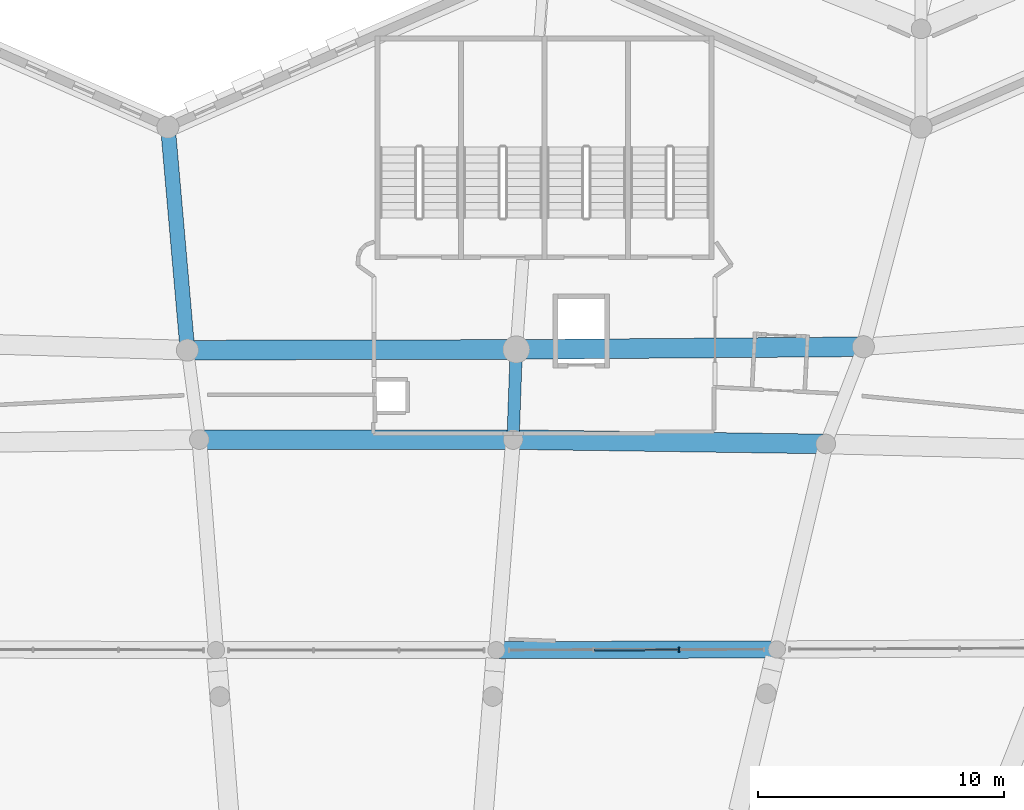
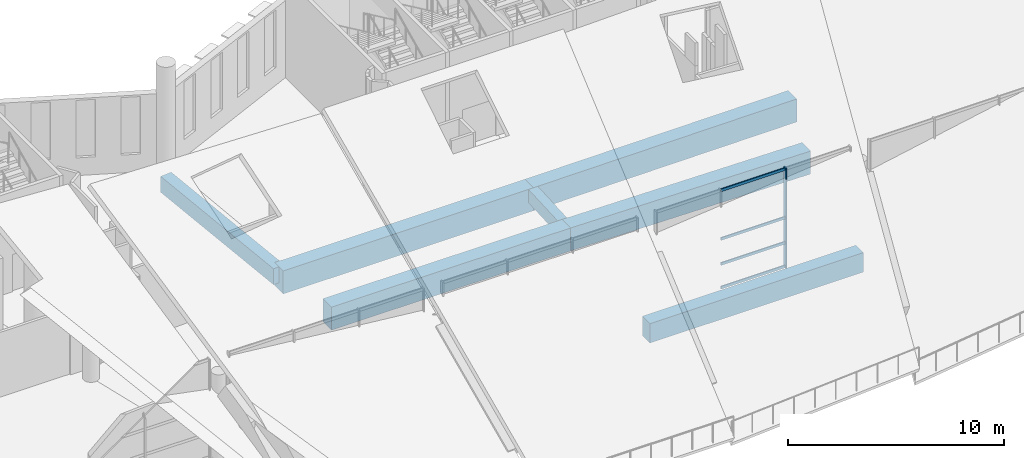
# One storey, part 71 of 249: 7 beams, 5 members, 1 element without a shape of its own.
"""IFC4 building model written with IfcOpenShell, lengths in metres."""

from ifc_helpers import new_model, si_unit, direction, frame, origin, origin_2d, place, context, subcontext, project, spatial, rectangle, extrude, material, layer, layer_set, material_profile, profile_set, type_object, element, aggregate, save


model = new_model("IFC4")

# Units and contexts
model_context = context("Model", 3, precision=1e-05, world=origin(), true_north=direction((0.0, 1.0)))
body_context = subcontext(model_context, "Body", "Model", "MODEL_VIEW")
ifc_project = project(units=[si_unit("LENGTHUNIT", "METRE"), si_unit("AREAUNIT", "SQUARE_METRE"), si_unit("VOLUMEUNIT", "CUBIC_METRE"), si_unit("PLANEANGLEUNIT", "RADIAN"), si_unit("MASSUNIT", "GRAM", prefix="KILO")], contexts=[model_context])

# Site, building, storey
site_placement = place(None, origin())
site = spatial("IfcSite", under=ifc_project, at=site_placement, CompositionType="ELEMENT")
building_placement = place(site_placement, origin())
building = spatial("IfcBuilding", under=site, at=building_placement, Name="Meseta Stadium", CompositionType="ELEMENT")
storey_placement = place(building_placement, frame((0.0, 0.0, 12.0)))
storey = spatial("IfcBuildingStorey", under=building, at=storey_placement, Name="L02", CompositionType="ELEMENT", Elevation=12.0)

# Curtain wall, members
ifc_material_1 = material(Name="Aluminium", Category="aluminium")
ifc_layer = layer(ifc_material_1, 0.199951171875)
ifc_layer_set = layer_set([ifc_layer], Name="Suite glazing curtain wall")
curtain_wall_type = type_object("IfcCurtainWallType", Name="Suite glazing curtain wall", PredefinedType="NOTDEFINED", material=ifc_layer_set)
curtain_wall_placement = place(storey_placement, origin())
curtain_wall = element("IfcCurtainWall", 1, at=curtain_wall_placement, inside=storey, type_object=curtain_wall_type, Name="Suite glazing bay 17", PredefinedType="NOTDEFINED")
ifc_material_2 = material(Name="Aluminium", Category="aluminium")
ifc_material_profile_1 = material_profile(ifc_material_2, rectangle(XDim=0.199951171875, YDim=0.06005859375, at=origin_2d()), Name="CW 200x60")
ifc_profile_set_1 = profile_set([ifc_material_profile_1], Name="Aluminium")
member_type_1 = type_object("IfcMemberType", Name="CW mullion 60x200", PredefinedType="MULLION", material=ifc_profile_set_1)
member_1_placement = place(storey_placement, frame((13.15185546875, 77.322265625, 0.0), z_axis=(0.0, 0.0, 1.0), x_axis=(0.002485957037, -0.999996910004, 0.0)))
member_1 = element("IfcMember", 2, at=member_1_placement, type_object=member_type_1, Name="CWS mullion 2", PredefinedType="MULLION", context=body_context, shape_type="SweptSolid", body=[
    extrude(rectangle(XDim=0.199951171875, YDim=0.06005859375, at=origin_2d()), origin(), (0.0, 0.0, 1.0), 5.64990234375),
])
ifc_material_3 = material(Name="Aluminium", Category="aluminium")
ifc_material_profile_2 = material_profile(ifc_material_3, rectangle(XDim=0.06005859375, YDim=0.14990234375, at=origin_2d()), Name="CW 60x150")
ifc_profile_set_2 = profile_set([ifc_material_profile_2], Name="Aluminium")
member_type_2 = type_object("IfcMemberType", Name="CW transom 60x150", PredefinedType="USERDEFINED", material=ifc_profile_set_2)
member_2_placement = place(storey_placement, frame((13.121826171875, 77.322021484375, 0.074951171875), z_axis=(-0.999997058602, -0.002425445855, 0.0), x_axis=(0.002425445855, -0.999997058602, 0.0)))
member_2 = element("IfcMember", 3, at=member_2_placement, type_object=member_type_2, Name="CWS transom 2.1", ObjectType="TRANSOM", PredefinedType="USERDEFINED", context=body_context, shape_type="SweptSolid", body=[
    extrude(rectangle(XDim=0.06005859375, YDim=0.14990234375, at=origin_2d()), origin(), (0.0, 0.0, 1.0), 3.42236328125),
])
member_3_placement = place(storey_placement, frame((13.121826171875, 77.322021484375, 1.41259765625), z_axis=(-0.999997058602, -0.002425445855, 0.0), x_axis=(0.002425445855, -0.999997058602, 0.0)))
member_3 = element("IfcMember", 4, at=member_3_placement, type_object=member_type_2, Name="CWS transom 2.2", ObjectType="TRANSOM", PredefinedType="USERDEFINED", context=body_context, shape_type="SweptSolid", body=[
    extrude(rectangle(XDim=0.06005859375, YDim=0.14990234375, at=origin_2d()), origin(), (0.0, 0.0, 1.0), 3.42236328125),
])
member_4_placement = place(storey_placement, frame((13.121826171875, 77.322021484375, 2.824951171875), z_axis=(-0.999997058602, -0.002425445855, 0.0), x_axis=(0.002425445855, -0.999997058602, 0.0)))
member_4 = element("IfcMember", 5, at=member_4_placement, type_object=member_type_2, Name="CWS transom 2.3", ObjectType="TRANSOM", PredefinedType="USERDEFINED", context=body_context, shape_type="SweptSolid", body=[
    extrude(rectangle(XDim=0.06005859375, YDim=0.14990234375, at=origin_2d()), origin(), (0.0, 0.0, 1.0), 3.42236328125),
])
member_5_placement = place(storey_placement, frame((13.121826171875, 77.322021484375, 5.574951171875), z_axis=(-0.999997058602, -0.002425445855, 0.0), x_axis=(0.002425445855, -0.999997058602, 0.0)))
member_5 = element("IfcMember", 6, at=member_5_placement, type_object=member_type_2, Name="CWS transom 2.4", ObjectType="TRANSOM", PredefinedType="USERDEFINED", context=body_context, shape_type="SweptSolid", body=[
    extrude(rectangle(XDim=0.06005859375, YDim=0.14990234375, at=origin_2d()), origin(), (0.0, 0.0, 1.0), 3.42236328125),
])
aggregate(curtain_wall, [member_1, member_2, member_3, member_4, member_5])

# Beams
ifc_material_4 = material(Name="Concrete C40/50", Category="concrete")
ifc_material_profile_3 = material_profile(ifc_material_4, rectangle(XDim=0.5, YDim=0.75, at=origin_2d()), Name="RC 500x750")
ifc_profile_set_3 = profile_set([ifc_material_profile_3], Name="Concrete C40/50")
beam_type_1 = type_object("IfcBeamType", Name="RC beam 500x750", PredefinedType="BEAM", material=ifc_profile_set_3)
beam_1_placement = place(storey_placement, frame((6.386962890625, 85.876708984375, -0.72509765625), z_axis=(0.035437776234, 0.999371884743, 0.0), x_axis=(-0.999371884743, 0.035437776234, 0.0)))
element("IfcBeam", 7, at=beam_1_placement, inside=storey, type_object=beam_type_1, Name="L02 radial beam frame 18 line E to P", PredefinedType="BEAM", context=body_context, shape_type="SweptSolid", body=[
    extrude(rectangle(XDim=0.5, YDim=0.75, at=origin_2d()), origin(), (0.0, 0.0, 1.0), 3.671875),
])
ifc_material_5 = material(Name="Concrete C40/50", Category="concrete")
ifc_material_profile_4 = material_profile(ifc_material_5, rectangle(XDim=0.60009765625, YDim=0.89990234375, at=origin_2d()), Name="RC 600x900")
ifc_profile_set_4 = profile_set([ifc_material_profile_4], Name="Concrete C40/50")
beam_type_2 = type_object("IfcBeamType", Name="RC beam 600x900", PredefinedType="BEAM", material=ifc_profile_set_4)
beam_2_placement = place(storey_placement, frame((-6.87060546875, 89.517822265625, -0.800048828125), z_axis=(-0.087324072983, 0.996179956774, 0.0), x_axis=(-0.996179956774, -0.087324072983, 0.0)))
element("IfcBeam", 8, at=beam_2_placement, inside=storey, type_object=beam_type_2, Name="L02 radial beam frame 19 line P to R", PredefinedType="BEAM", context=body_context, shape_type="SweptSolid", body=[
    extrude(rectangle(XDim=0.60009765625, YDim=0.89990234375, at=origin_2d()), origin(), (0.0, 0.0, 1.0), 9.1171875),
])
ifc_material_6 = material(Name="Concrete C40/50", Category="concrete")
ifc_material_profile_5 = material_profile(ifc_material_6, rectangle(XDim=0.699951171875, YDim=1.10009765625, at=origin_2d()), Name="RC 700x1100")
ifc_profile_set_5 = profile_set([ifc_material_profile_5], Name="Concrete C40/50")
beam_type_3 = type_object("IfcBeamType", Name="RC beam 700x1100", PredefinedType="BEAM", material=ifc_profile_set_5)
beam_3_placement = place(storey_placement, frame((17.126708984375, 77.33203125, -0.89990234375), z_axis=(-0.999996925183, -0.002479843584, 0.0), x_axis=(0.002479843584, -0.999996925183, 0.0)))
element("IfcBeam", 9, at=beam_3_placement, inside=storey, type_object=beam_type_3, Name="L02 ring beam frame 17 line D", PredefinedType="BEAM", context=body_context, shape_type="SweptSolid", body=[
    extrude(rectangle(XDim=0.699951171875, YDim=1.10009765625, at=origin_2d()), origin(), (0.0, 0.0, 1.0), 11.420166015625),
])
ifc_material_7 = material(Name="Concrete C40/50", Category="concrete")
ifc_material_profile_6 = material_profile(ifc_material_7, rectangle(XDim=0.800048828125, YDim=1.300048828125, at=origin_2d()), Name="RC 800x1300")
ifc_profile_set_6 = profile_set([ifc_material_profile_6], Name="Concrete C40/50")
beam_type_4 = type_object("IfcBeamType", Name="RC beam 800x1300", PredefinedType="BEAM", material=ifc_profile_set_6)
beam_4_placement = place(storey_placement, frame((19.11865234375, 85.6982421875, -1.0), z_axis=(-0.999901768948, 0.014016149746, 0.0), x_axis=(-0.014016149746, -0.999901768948, 0.0)))
element("IfcBeam", 10, at=beam_4_placement, inside=storey, type_object=beam_type_4, Name="L02 ring beam frame 17 line E", PredefinedType="BEAM", context=body_context, shape_type="SweptSolid", body=[
    extrude(rectangle(XDim=0.800048828125, YDim=1.300048828125, at=origin_2d()), origin(), (0.0, 0.0, 1.0), 12.73291015625),
])
beam_5_placement = place(storey_placement, frame((20.649658203125, 89.65625, -1.0), z_axis=(-0.999969785649, -0.007773531251, 0.0), x_axis=(0.007773531251, -0.999969785649, 0.0)))
element("IfcBeam", 11, at=beam_5_placement, inside=storey, type_object=beam_type_4, Name="L02 ring beam frame 17 line P", PredefinedType="BEAM", context=body_context, shape_type="SweptSolid", body=[
    extrude(rectangle(XDim=0.800048828125, YDim=1.300048828125, at=origin_2d()), origin(), (0.0, 0.0, 1.0), 14.133056640625),
])
beam_6_placement = place(storey_placement, frame((6.386962890625, 85.876708984375, -1.0), z_axis=(-1.0, 0.0, 0.0), x_axis=(0.0, -1.0, 0.0)))
element("IfcBeam", 12, at=beam_6_placement, inside=storey, type_object=beam_type_4, Name="L02 ring beam frame 18 line E", PredefinedType="BEAM", context=body_context, shape_type="SweptSolid", body=[
    extrude(rectangle(XDim=0.800048828125, YDim=1.300048828125, at=origin_2d()), origin(), (0.0, 0.0, 1.0), 12.77392578125),
])
beam_7_placement = place(storey_placement, frame((6.51708984375, 89.54638671875, -1.0), z_axis=(-0.999997723809, -0.002133629982, 0.0), x_axis=(0.002133629982, -0.999997723809, 0.0)))
element("IfcBeam", 13, at=beam_7_placement, inside=storey, type_object=beam_type_4, Name="L02 ring beam frame 18 line P", PredefinedType="BEAM", context=body_context, shape_type="SweptSolid", body=[
    extrude(rectangle(XDim=0.800048828125, YDim=1.300048828125, at=origin_2d()), origin(), (0.0, 0.0, 1.0), 13.3876953125),
])

save(model, "model.ifc")
